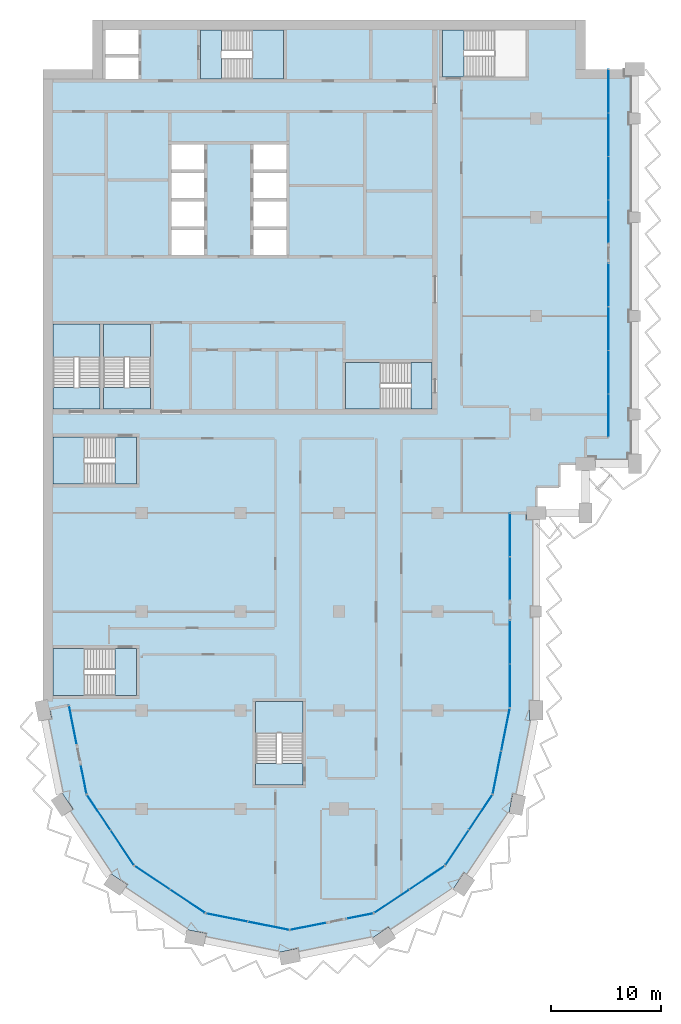
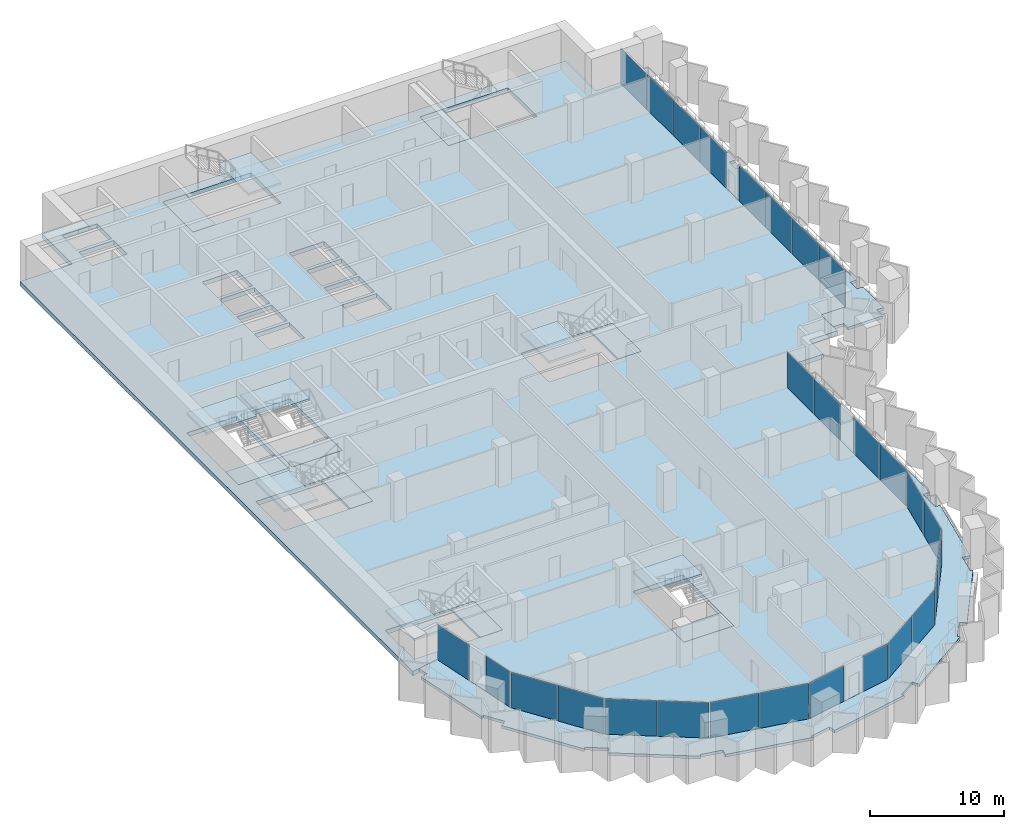
# One storey, part 6 of 17: 28 plates, 18 slabs, 21 elements without a shape of their own.
"""IFC4 building model written with IfcOpenShell, lengths in metres."""

from ifc_helpers import new_model, si_unit, direction, frame, origin, origin_2d, place, context, subcontext, project, spatial, polyline, rectangle, outline, extrude, material, layer, layer_set, type_object, element, aggregate, save


model = new_model("IFC4")

# Units and contexts
model_context = context("Model", 3, precision=1e-05, world=origin(), true_north=direction((0.0, 1.0)))
body_context = subcontext(model_context, "Body", "Model", "MODEL_VIEW")
ifc_project = project(units=[si_unit("LENGTHUNIT", "METRE"), si_unit("AREAUNIT", "SQUARE_METRE"), si_unit("VOLUMEUNIT", "CUBIC_METRE"), si_unit("PLANEANGLEUNIT", "RADIAN"), si_unit("MASSUNIT", "GRAM", prefix="KILO")], contexts=[model_context])

# Site, building, storey
site_placement = place(None, origin())
site = spatial("IfcSite", under=ifc_project, at=site_placement, CompositionType="ELEMENT")
building_placement = place(site_placement, origin())
building = spatial("IfcBuilding", under=site, at=building_placement, Name="Hunhe Ridgeline Campus", CompositionType="ELEMENT")
storey_placement = place(building_placement, frame((0.0, 0.0, 208.699951171875)))
storey = spatial("IfcBuildingStorey", under=building, at=storey_placement, Name="L53", CompositionType="ELEMENT", Elevation=208.699951171875)

# Curtain wall, plate
ifc_material_1 = material(Name="Aluminium 6063", Category="aluminium")
curtain_wall_type_1 = type_object("IfcCurtainWallType", Name="Curtain wall CW-5", PredefinedType="NOTDEFINED", material=ifc_material_1)
curtain_wall_1_placement = place(storey_placement, origin())
curtain_wall_1 = element("IfcCurtainWall", 1, at=curtain_wall_1_placement, inside=storey, type_object=curtain_wall_type_1, Name="Curtain wall 01", PredefinedType="NOTDEFINED")
ifc_material_2 = material(Name="Low-e laminated glass", Category="glass")
ifc_layer_1 = layer(ifc_material_2, 0.028076171875)
ifc_layer_set_1 = layer_set([ifc_layer_1], Name="Curtain wall glass panel 28 low-e laminated")
plate_type = type_object("IfcPlateType", Name="Curtain wall glass panel 28 low-e laminated", PredefinedType="CURTAIN_PANEL", material=ifc_layer_set_1)
plate_1_placement = place(storey_placement, frame((2.7158203125, 34.65380859375, 0.0), z_axis=(0.0, 0.0, 1.0), x_axis=(0.195095326561, -0.980784284924, 0.0)))
plate_1 = element("IfcPlate", 2, at=plate_1_placement, type_object=plate_type, Name="CW-5 panel 1", PredefinedType="CURTAIN_PANEL", context=body_context, shape_type="SweptSolid", body=[
    extrude(rectangle(XDim=3.560791015625, YDim=0.028076171875, at=origin_2d()), origin(), (0.0, 0.0, 1.0), 3.22998046875),
])
aggregate(curtain_wall_1, [plate_1])

curtain_wall_2_placement = place(storey_placement, origin())
curtain_wall_2 = element("IfcCurtainWall", 3, at=curtain_wall_2_placement, inside=storey, type_object=curtain_wall_type_1, Name="Curtain wall 02", PredefinedType="NOTDEFINED")
plate_2_placement = place(storey_placement, frame((3.701171875, 29.699951171875, 0.0), z_axis=(0.0, 0.0, 1.0), x_axis=(0.195095265587, -0.980784297053, 0.0)))
plate_2 = element("IfcPlate", 4, at=plate_2_placement, type_object=plate_type, Name="CW-5 panel 1", PredefinedType="CURTAIN_PANEL", context=body_context, shape_type="SweptSolid", body=[
    extrude(rectangle(XDim=2.660888671875, YDim=0.028076171875, at=origin_2d()), origin(), (0.0, 0.0, 1.0), 3.22998046875),
])
aggregate(curtain_wall_2, [plate_2])

# Curtain wall, plates
curtain_wall_3_placement = place(storey_placement, origin())
curtain_wall_3 = element("IfcCurtainWall", 5, at=curtain_wall_3_placement, inside=storey, type_object=curtain_wall_type_1, Name="Curtain wall 03", PredefinedType="NOTDEFINED")
plate_3_placement = place(storey_placement, frame((5.07080078125, 26.685546875, 0.0), z_axis=(0.0, 0.0, 1.0), x_axis=(0.555570274596, -0.831469584522, 0.0)))
plate_3 = element("IfcPlate", 6, at=plate_3_placement, type_object=plate_type, Name="CW-5 panel 1", PredefinedType="CURTAIN_PANEL", context=body_context, shape_type="SweptSolid", body=[
    extrude(rectangle(XDim=3.806884765625, YDim=0.028076171875, at=origin_2d()), origin(), (0.0, 0.0, 1.0), 3.22998046875),
])
plate_4_placement = place(storey_placement, frame((7.224609375, 23.4619140625, 0.0), z_axis=(0.0, 0.0, 1.0), x_axis=(0.555570274596, -0.831469584522, 0.0)))
plate_4 = element("IfcPlate", 7, at=plate_4_placement, type_object=plate_type, Name="CW-5 panel 2", PredefinedType="CURTAIN_PANEL", context=body_context, shape_type="SweptSolid", body=[
    extrude(rectangle(XDim=3.806884765625, YDim=0.028076171875, at=origin_2d()), origin(), (0.0, 0.0, 1.0), 3.22998046875),
])
aggregate(curtain_wall_3, [plate_3, plate_4])

curtain_wall_4_placement = place(storey_placement, origin())
curtain_wall_4 = element("IfcCurtainWall", 8, at=curtain_wall_4_placement, inside=storey, type_object=curtain_wall_type_1, Name="Curtain wall 04", PredefinedType="NOTDEFINED")
plate_5_placement = place(storey_placement, frame((9.9619140625, 20.724609375, 0.0), z_axis=(0.0, 0.0, 1.0), x_axis=(0.831469584522, -0.555570274596, 0.0)))
plate_5 = element("IfcPlate", 9, at=plate_5_placement, type_object=plate_type, Name="CW-5 panel 1", PredefinedType="CURTAIN_PANEL", context=body_context, shape_type="SweptSolid", body=[
    extrude(rectangle(XDim=3.806884765625, YDim=0.028076171875, at=origin_2d()), origin(), (0.0, 0.0, 1.0), 3.22998046875),
])
plate_6_placement = place(storey_placement, frame((13.185546875, 18.57080078125, 0.0), z_axis=(0.0, 0.0, 1.0), x_axis=(0.831469584522, -0.555570274596, 0.0)))
plate_6 = element("IfcPlate", 10, at=plate_6_placement, type_object=plate_type, Name="CW-5 panel 2", PredefinedType="CURTAIN_PANEL", context=body_context, shape_type="SweptSolid", body=[
    extrude(rectangle(XDim=3.806884765625, YDim=0.028076171875, at=origin_2d()), origin(), (0.0, 0.0, 1.0), 3.22998046875),
])
aggregate(curtain_wall_4, [plate_5, plate_6])

curtain_wall_5_placement = place(storey_placement, origin())
curtain_wall_5 = element("IfcCurtainWall", 11, at=curtain_wall_5_placement, inside=storey, type_object=curtain_wall_type_1, Name="Curtain wall 05", PredefinedType="NOTDEFINED")
plate_7_placement = place(storey_placement, frame((16.761962890625, 17.08935546875, 0.0), z_axis=(0.0, 0.0, 1.0), x_axis=(0.980785275326, -0.195090347539, 0.0)))
plate_7 = element("IfcPlate", 12, at=plate_7_placement, type_object=plate_type, Name="CW-5 panel 1", PredefinedType="CURTAIN_PANEL", context=body_context, shape_type="SweptSolid", body=[
    extrude(rectangle(XDim=3.806884765625, YDim=0.028076171875, at=origin_2d()), origin(), (0.0, 0.0, 1.0), 3.22998046875),
])
plate_8_placement = place(storey_placement, frame((20.564453125, 16.3330078125, 0.0), z_axis=(0.0, 0.0, 1.0), x_axis=(0.980785275326, -0.195090347539, 0.0)))
plate_8 = element("IfcPlate", 13, at=plate_8_placement, type_object=plate_type, Name="CW-5 panel 2", PredefinedType="CURTAIN_PANEL", context=body_context, shape_type="SweptSolid", body=[
    extrude(rectangle(XDim=3.806884765625, YDim=0.028076171875, at=origin_2d()), origin(), (0.0, 0.0, 1.0), 3.22998046875),
])
aggregate(curtain_wall_5, [plate_7, plate_8])

# Curtain wall, plate
curtain_wall_6_placement = place(storey_placement, origin())
curtain_wall_6 = element("IfcCurtainWall", 14, at=curtain_wall_6_placement, inside=storey, type_object=curtain_wall_type_1, Name="Curtain wall 06", PredefinedType="NOTDEFINED")
plate_9_placement = place(storey_placement, frame((24.19775390625, 16.28564453125, 0.0), z_axis=(0.0, 0.0, 1.0), x_axis=(0.980785270791, 0.19509037034, 0.0)))
plate_9 = element("IfcPlate", 15, at=plate_9_placement, type_object=plate_type, Name="CW-5 panel 1", PredefinedType="CURTAIN_PANEL", context=body_context, shape_type="SweptSolid", body=[
    extrude(rectangle(XDim=3.322021484375, YDim=0.028076171875, at=origin_2d()), origin(), (0.0, 0.0, 1.0), 3.22998046875),
])
aggregate(curtain_wall_6, [plate_9])

curtain_wall_7_placement = place(storey_placement, origin())
curtain_wall_7 = element("IfcCurtainWall", 16, at=curtain_wall_7_placement, inside=storey, type_object=curtain_wall_type_1, Name="Curtain wall 07", PredefinedType="NOTDEFINED")
plate_10_placement = place(storey_placement, frame((28.917236328125, 17.224609375, 0.0), z_axis=(0.0, 0.0, 1.0), x_axis=(0.980785242091, 0.195090514627, 0.0)))
plate_10 = element("IfcPlate", 17, at=plate_10_placement, type_object=plate_type, Name="CW-5 panel 1", PredefinedType="CURTAIN_PANEL", context=body_context, shape_type="SweptSolid", body=[
    extrude(rectangle(XDim=2.421875, YDim=0.028076171875, at=origin_2d()), origin(), (0.0, 0.0, 1.0), 3.22998046875),
])
aggregate(curtain_wall_7, [plate_10])

# Curtain wall, plates
curtain_wall_8_placement = place(storey_placement, origin())
curtain_wall_8 = element("IfcCurtainWall", 18, at=curtain_wall_8_placement, inside=storey, type_object=curtain_wall_type_1, Name="Curtain wall 08", PredefinedType="NOTDEFINED")
plate_11_placement = place(storey_placement, frame((31.814453125, 18.57080078125, 0.0), z_axis=(0.0, 0.0, 1.0), x_axis=(0.831469584522, 0.555570274596, 0.0)))
plate_11 = element("IfcPlate", 19, at=plate_11_placement, type_object=plate_type, Name="CW-5 panel 1", PredefinedType="CURTAIN_PANEL", context=body_context, shape_type="SweptSolid", body=[
    extrude(rectangle(XDim=3.806884765625, YDim=0.028076171875, at=origin_2d()), origin(), (0.0, 0.0, 1.0), 3.22998046875),
])
plate_12_placement = place(storey_placement, frame((35.0380859375, 20.724609375, 0.0), z_axis=(0.0, 0.0, 1.0), x_axis=(0.831469584522, 0.555570274596, 0.0)))
plate_12 = element("IfcPlate", 20, at=plate_12_placement, type_object=plate_type, Name="CW-5 panel 2", PredefinedType="CURTAIN_PANEL", context=body_context, shape_type="SweptSolid", body=[
    extrude(rectangle(XDim=3.806884765625, YDim=0.028076171875, at=origin_2d()), origin(), (0.0, 0.0, 1.0), 3.22998046875),
])
aggregate(curtain_wall_8, [plate_11, plate_12])

curtain_wall_9_placement = place(storey_placement, origin())
curtain_wall_9 = element("IfcCurtainWall", 21, at=curtain_wall_9_placement, inside=storey, type_object=curtain_wall_type_1, Name="Curtain wall 09", PredefinedType="NOTDEFINED")
plate_13_placement = place(storey_placement, frame((37.775390625, 23.4619140625, 0.0), z_axis=(0.0, 0.0, 1.0), x_axis=(0.555570274596, 0.831469584522, 0.0)))
plate_13 = element("IfcPlate", 22, at=plate_13_placement, type_object=plate_type, Name="CW-5 panel 1", PredefinedType="CURTAIN_PANEL", context=body_context, shape_type="SweptSolid", body=[
    extrude(rectangle(XDim=3.806884765625, YDim=0.028076171875, at=origin_2d()), origin(), (0.0, 0.0, 1.0), 3.22998046875),
])
plate_14_placement = place(storey_placement, frame((39.92919921875, 26.685546875, 0.0), z_axis=(0.0, 0.0, 1.0), x_axis=(0.555570274596, 0.831469584522, 0.0)))
plate_14 = element("IfcPlate", 23, at=plate_14_placement, type_object=plate_type, Name="CW-5 panel 2", PredefinedType="CURTAIN_PANEL", context=body_context, shape_type="SweptSolid", body=[
    extrude(rectangle(XDim=3.806884765625, YDim=0.028076171875, at=origin_2d()), origin(), (0.0, 0.0, 1.0), 3.22998046875),
])
aggregate(curtain_wall_9, [plate_13, plate_14])

curtain_wall_10_placement = place(storey_placement, origin())
curtain_wall_10 = element("IfcCurtainWall", 24, at=curtain_wall_10_placement, inside=storey, type_object=curtain_wall_type_1, Name="Curtain wall 10", PredefinedType="NOTDEFINED")
plate_15_placement = place(storey_placement, frame((41.42236328125, 30.321044921875, 0.0), z_axis=(0.0, 0.0, 1.0), x_axis=(0.195090299215, 0.980785284939, 0.0)))
plate_15 = element("IfcPlate", 25, at=plate_15_placement, type_object=plate_type, Name="CW-5 panel 1", PredefinedType="CURTAIN_PANEL", context=body_context, shape_type="SweptSolid", body=[
    extrude(rectangle(XDim=3.927490234375, YDim=0.028076171875, at=origin_2d()), origin(), (0.0, 0.0, 1.0), 3.22998046875),
])
plate_16_placement = place(storey_placement, frame((42.2021484375, 34.24169921875, 0.0), z_axis=(0.0, 0.0, 1.0), x_axis=(0.195090299215, 0.980785284939, 0.0)))
plate_16 = element("IfcPlate", 26, at=plate_16_placement, type_object=plate_type, Name="CW-5 panel 2", PredefinedType="CURTAIN_PANEL", context=body_context, shape_type="SweptSolid", body=[
    extrude(rectangle(XDim=3.927490234375, YDim=0.028076171875, at=origin_2d()), origin(), (0.0, 0.0, 1.0), 3.22998046875),
])
aggregate(curtain_wall_10, [plate_15, plate_16])

curtain_wall_type_2 = type_object("IfcCurtainWallType", Name="Curtain wall CW-1", PredefinedType="NOTDEFINED", material=ifc_material_1)
curtain_wall_11_placement = place(storey_placement, origin())
curtain_wall_11 = element("IfcCurtainWall", 27, at=curtain_wall_11_placement, inside=storey, type_object=curtain_wall_type_2, Name="Curtain wall 11", PredefinedType="NOTDEFINED")
plate_17_placement = place(storey_placement, frame((42.59912109375, 38.2470703125, 0.0), z_axis=(0.0, 0.0, 1.0), x_axis=(6.639948e-06, 0.999999999978, 0.0)))
plate_17 = element("IfcPlate", 28, at=plate_17_placement, type_object=plate_type, Name="CW-1 panel 1", PredefinedType="CURTAIN_PANEL", context=body_context, shape_type="SweptSolid", body=[
    extrude(rectangle(XDim=3.90087890625, YDim=0.028076171875, at=origin_2d()), origin(), (0.0, 0.0, 1.0), 3.239990234375),
])
plate_18_placement = place(storey_placement, frame((42.59912109375, 42.2080078125, 0.0), z_axis=(0.0, 0.0, 1.0), x_axis=(6.639948e-06, 0.999999999978, 0.0)))
plate_18 = element("IfcPlate", 29, at=plate_18_placement, type_object=plate_type, Name="CW-1 panel 2", PredefinedType="CURTAIN_PANEL", context=body_context, shape_type="SweptSolid", body=[
    extrude(rectangle(XDim=3.90087890625, YDim=0.028076171875, at=origin_2d()), origin(), (0.0, 0.0, 1.0), 3.239990234375),
])
aggregate(curtain_wall_11, [plate_17, plate_18])

curtain_wall_12_placement = place(storey_placement, origin())
curtain_wall_12 = element("IfcCurtainWall", 30, at=curtain_wall_12_placement, inside=storey, type_object=curtain_wall_type_2, Name="Curtain wall 12", PredefinedType="NOTDEFINED")
plate_19_placement = place(storey_placement, frame((42.59912109375, 48.029052734375, 0.0), z_axis=(0.0, 0.0, 1.0), x_axis=(6.639948e-06, 0.999999999978, 0.0)))
plate_19 = element("IfcPlate", 31, at=plate_19_placement, type_object=plate_type, Name="CW-1 panel 1", PredefinedType="CURTAIN_PANEL", context=body_context, shape_type="SweptSolid", body=[
    extrude(rectangle(XDim=3.90087890625, YDim=0.028076171875, at=origin_2d()), origin(), (0.0, 0.0, 1.0), 3.239990234375),
])
plate_20_placement = place(storey_placement, frame((42.59912109375, 51.989990234375, 0.0), z_axis=(0.0, 0.0, 1.0), x_axis=(6.639948e-06, 0.999999999978, 0.0)))
plate_20 = element("IfcPlate", 32, at=plate_20_placement, type_object=plate_type, Name="CW-1 panel 2", PredefinedType="CURTAIN_PANEL", context=body_context, shape_type="SweptSolid", body=[
    extrude(rectangle(XDim=3.90087890625, YDim=0.028076171875, at=origin_2d()), origin(), (0.0, 0.0, 1.0), 3.239990234375),
])
aggregate(curtain_wall_12, [plate_19, plate_20])

curtain_wall_13_placement = place(storey_placement, origin())
curtain_wall_13 = element("IfcCurtainWall", 33, at=curtain_wall_13_placement, inside=storey, type_object=curtain_wall_type_2, Name="Curtain wall 13", PredefinedType="NOTDEFINED")
plate_21_placement = place(storey_placement, frame((51.59912109375, 62.9033203125, 0.0), z_axis=(0.0, 0.0, 1.0), x_axis=(0.0, 1.0, 0.0)))
plate_21 = element("IfcPlate", 34, at=plate_21_placement, type_object=plate_type, Name="CW-1 panel 1", PredefinedType="CURTAIN_PANEL", context=body_context, shape_type="SweptSolid", body=[
    extrude(rectangle(XDim=3.884765625, YDim=0.028076171875, at=origin_2d()), origin(), (0.0, 0.0, 1.0), 3.239990234375),
])
plate_22_placement = place(storey_placement, frame((51.59912109375, 66.86328125, 0.0), z_axis=(0.0, 0.0, 1.0), x_axis=(0.0, 1.0, 0.0)))
plate_22 = element("IfcPlate", 35, at=plate_22_placement, type_object=plate_type, Name="CW-1 panel 2", PredefinedType="CURTAIN_PANEL", context=body_context, shape_type="SweptSolid", body=[
    extrude(rectangle(XDim=3.914794921875, YDim=0.028076171875, at=origin_2d()), origin(), (0.0, 0.0, 1.0), 3.239990234375),
])
plate_23_placement = place(storey_placement, frame((51.59912109375, 70.838134765625, 0.0), z_axis=(0.0, 0.0, 1.0), x_axis=(0.0, 1.0, 0.0)))
plate_23 = element("IfcPlate", 36, at=plate_23_placement, type_object=plate_type, Name="CW-1 panel 3", PredefinedType="CURTAIN_PANEL", context=body_context, shape_type="SweptSolid", body=[
    extrude(rectangle(XDim=3.914794921875, YDim=0.028076171875, at=origin_2d()), origin(), (0.0, 0.0, 1.0), 3.239990234375),
])
plate_24_placement = place(storey_placement, frame((51.59912109375, 74.798095703125, 0.0), z_axis=(0.0, 0.0, 1.0), x_axis=(0.0, 1.0, 0.0)))
plate_24 = element("IfcPlate", 37, at=plate_24_placement, type_object=plate_type, Name="CW-1 panel 4", PredefinedType="CURTAIN_PANEL", context=body_context, shape_type="SweptSolid", body=[
    extrude(rectangle(XDim=3.884765625, YDim=0.028076171875, at=origin_2d()), origin(), (0.0, 0.0, 1.0), 3.239990234375),
])
aggregate(curtain_wall_13, [plate_21, plate_22, plate_23, plate_24])

curtain_wall_14_placement = place(storey_placement, origin())
curtain_wall_14 = element("IfcCurtainWall", 38, at=curtain_wall_14_placement, inside=storey, type_object=curtain_wall_type_2, Name="Curtain wall 14", PredefinedType="NOTDEFINED")
plate_25_placement = place(storey_placement, frame((51.59912109375, 80.60302734375, 0.0), z_axis=(0.0, 0.0, 1.0), x_axis=(0.0, 1.0, 0.0)))
plate_25 = element("IfcPlate", 39, at=plate_25_placement, type_object=plate_type, Name="CW-1 panel 1", PredefinedType="CURTAIN_PANEL", context=body_context, shape_type="SweptSolid", body=[
    extrude(rectangle(XDim=3.884765625, YDim=0.028076171875, at=origin_2d()), origin(), (0.0, 0.0, 1.0), 3.239990234375),
])
plate_26_placement = place(storey_placement, frame((51.59912109375, 84.562744140625, 0.0), z_axis=(0.0, 0.0, 1.0), x_axis=(0.0, 1.0, 0.0)))
plate_26 = element("IfcPlate", 40, at=plate_26_placement, type_object=plate_type, Name="CW-1 panel 2", PredefinedType="CURTAIN_PANEL", context=body_context, shape_type="SweptSolid", body=[
    extrude(rectangle(XDim=3.914794921875, YDim=0.028076171875, at=origin_2d()), origin(), (0.0, 0.0, 1.0), 3.239990234375),
])
plate_27_placement = place(storey_placement, frame((51.59912109375, 88.53759765625, 0.0), z_axis=(0.0, 0.0, 1.0), x_axis=(0.0, 1.0, 0.0)))
plate_27 = element("IfcPlate", 41, at=plate_27_placement, type_object=plate_type, Name="CW-1 panel 3", PredefinedType="CURTAIN_PANEL", context=body_context, shape_type="SweptSolid", body=[
    extrude(rectangle(XDim=3.914794921875, YDim=0.028076171875, at=origin_2d()), origin(), (0.0, 0.0, 1.0), 3.239990234375),
])
plate_28_placement = place(storey_placement, frame((51.59912109375, 92.49755859375, 0.0), z_axis=(0.0, 0.0, 1.0), x_axis=(0.0, 1.0, 0.0)))
plate_28 = element("IfcPlate", 42, at=plate_28_placement, type_object=plate_type, Name="CW-1 panel 4", PredefinedType="CURTAIN_PANEL", context=body_context, shape_type="SweptSolid", body=[
    extrude(rectangle(XDim=3.884765625, YDim=0.028076171875, at=origin_2d()), origin(), (0.0, 0.0, 1.0), 3.239990234375),
])
aggregate(curtain_wall_14, [plate_25, plate_26, plate_27, plate_28])

# Slabs
ifc_material_3 = material(Name="Concrete C40", Category="concrete")
ifc_layer_2 = layer(ifc_material_3, 0.39990234375)
ifc_layer_set_2 = layer_set([ifc_layer_2], Name="Floor slab 400 Concrete C40")
slab_type_1 = type_object("IfcSlabType", Name="Floor slab 400 Concrete C40", PredefinedType="FLOOR", material=ifc_layer_set_2)
slab_1_placement = place(storey_placement, frame((0.0, 0.0, -0.39990234375)))
element("IfcSlab", 43, at=slab_1_placement, inside=storey, type_object=slab_type_1, Name="Floor slab L53 1", PredefinedType="FLOOR", context=body_context, shape_type="SweptSolid", body=[
    extrude(outline(polyline([(30.173583984375, 17.474365234375), (36.678955078125, 21.821044921875), (41.025634765625, 28.326416015625), (42.59912109375, 36.236572265625), (42.59912109375, 54.00048828125), (44.9990234375, 54.0009765625), (44.999267578125, 56.400634765625), (47.09912109375, 56.40087890625), (47.099609375, 58.5009765625), (49.4990234375, 58.5009765625), (49.49951171875, 60.90087890625), (51.59912109375, 60.90087890625), (51.59912109375, 94.5), (49.5, 94.5), (49.5, 99.0), (4.5, 99.0), (4.5, 94.5), (0.0, 94.5), (0.0, 36.0009765625), (2.354736328125, 36.46875), (3.974365234375, 28.326416015625), (8.321044921875, 21.821044921875), (14.826416015625, 17.474365234375), (22.5, 15.947998046875), (30.173583984375, 17.474365234375)]), holes=[polyline([(36.449951171875, 93.800048828125), (44.050048828125, 93.800048828125), (44.050048828125, 98.10009765625), (36.449951171875, 98.10009765625), (36.449951171875, 93.800048828125)]), polyline([(35.5, 63.5), (35.5, 67.75), (27.60009765625, 67.75), (27.60009765625, 63.5), (35.5, 63.5)]), polyline([(19.39990234375, 29.199951171875), (23.699951171875, 29.199951171875), (23.699951171875, 36.800048828125), (19.39990234375, 36.800048828125), (19.39990234375, 29.199951171875)]), polyline([(22.199951171875, 80.14990234375), (22.199951171875, 82.449951171875), (19.199951171875, 82.449951171875), (19.199951171875, 80.14990234375), (22.199951171875, 80.14990234375)]), polyline([(22.199951171875, 79.85009765625), (19.199951171875, 79.85009765625), (19.199951171875, 77.550048828125), (22.199951171875, 77.550048828125), (22.199951171875, 79.85009765625)]), polyline([(19.199951171875, 87.64990234375), (19.199951171875, 85.35009765625), (22.199951171875, 85.35009765625), (22.199951171875, 87.64990234375), (19.199951171875, 87.64990234375)]), polyline([(19.199951171875, 82.75), (22.199951171875, 82.75), (22.199951171875, 85.050048828125), (19.199951171875, 85.050048828125), (19.199951171875, 82.75)]), polyline([(14.35009765625, 93.60009765625), (21.949951171875, 93.60009765625), (21.949951171875, 98.10009765625), (14.35009765625, 98.10009765625), (14.35009765625, 93.60009765625)]), polyline([(14.699951171875, 79.85009765625), (11.699951171875, 79.85009765625), (11.699951171875, 77.550048828125), (14.699951171875, 77.550048828125), (14.699951171875, 79.85009765625)]), polyline([(14.699951171875, 80.14990234375), (14.699951171875, 82.449951171875), (11.699951171875, 82.449951171875), (11.699951171875, 80.14990234375), (14.699951171875, 80.14990234375)]), polyline([(11.699951171875, 87.64990234375), (11.699951171875, 85.35009765625), (14.699951171875, 85.35009765625), (14.699951171875, 87.64990234375), (11.699951171875, 87.64990234375)]), polyline([(11.699951171875, 82.75), (14.699951171875, 82.75), (14.699951171875, 85.050048828125), (11.699951171875, 85.050048828125), (11.699951171875, 82.75)]), polyline([(9.800048828125, 71.25), (5.5, 71.25), (5.5, 63.5), (9.800048828125, 63.5), (9.800048828125, 71.25)]), polyline([(8.699951171875, 95.89990234375), (8.699951171875, 98.10009765625), (5.699951171875, 98.10009765625), (5.699951171875, 95.89990234375), (8.699951171875, 95.89990234375)]), polyline([(8.699951171875, 95.60009765625), (5.699951171875, 95.60009765625), (5.699951171875, 93.60009765625), (8.699951171875, 93.60009765625), (8.699951171875, 95.60009765625)]), polyline([(0.89990234375, 37.35009765625), (8.5, 37.35009765625), (8.5, 41.64990234375), (0.89990234375, 41.64990234375), (0.89990234375, 37.35009765625)]), polyline([(0.89990234375, 60.949951171875), (0.89990234375, 56.64990234375), (8.5, 56.64990234375), (8.5, 60.949951171875), (0.89990234375, 60.949951171875)]), polyline([(0.89990234375, 71.25), (0.89990234375, 63.5), (5.199951171875, 63.5), (5.199951171875, 71.25), (0.89990234375, 71.25)])]), origin(), (0.0, 0.0, 1.0), 0.39990234375),
])
ifc_layer_3 = layer(ifc_material_3, 0.25)
ifc_layer_set_3 = layer_set([ifc_layer_3], Name="Loggia slab 250 Concrete C40")
slab_type_2 = type_object("IfcSlabType", Name="Loggia slab 250 Concrete C40", PredefinedType="FLOOR", material=ifc_layer_set_3)
slab_2_placement = place(storey_placement, frame((0.0, 0.0, -0.25)))
element("IfcSlab", 44, at=slab_2_placement, inside=storey, type_object=slab_type_2, Name="Loggia slab 1", PredefinedType="FLOOR", context=body_context, shape_type="SweptSolid", body=[
    extrude(outline(polyline([(30.173828125, 17.473388671875), (22.5, 15.947021484375), (14.826171875, 17.473388671875), (8.3203125, 21.8203125), (3.973388671875, 28.326171875), (2.35400390625, 36.46826171875), (0.58837890625, 36.116943359375), (0.76416015625, 35.234375), (0.175537109375, 35.1171875), (1.522705078125, 28.344970703125), (1.711669921875, 28.47119140625), (2.711669921875, 26.974609375), (2.212646484375, 26.641357421875), (6.048828125, 20.900146484375), (6.175048828125, 21.089111328125), (7.671875, 20.0888671875), (7.33837890625, 19.590087890625), (13.07958984375, 15.75390625), (13.1240234375, 15.976806640625), (14.889404296875, 15.62548828125), (14.772216796875, 15.037109375), (21.544677734375, 13.68994140625), (21.500244140625, 13.912841796875), (23.265625, 14.26416015625), (23.3828125, 13.675537109375), (30.155029296875, 15.022705078125), (30.02880859375, 15.211669921875), (31.525390625, 16.211669921875), (31.858642578125, 15.712646484375), (37.599853515625, 19.548828125), (37.410888671875, 19.675048828125), (38.4111328125, 21.171875), (38.909912109375, 20.83837890625), (42.74609375, 26.57958984375), (42.523193359375, 26.6240234375), (42.87451171875, 28.389404296875), (43.462890625, 28.272216796875), (44.821044921875, 35.10009765625), (44.39990234375, 35.10009765625), (44.39990234375, 36.89990234375), (45.0, 36.89990234375), (45.0, 44.5), (44.5, 44.5), (44.5, 45.5), (45.0, 45.5), (45.0, 53.39990234375), (44.10009765625, 53.39990234375), (44.10009765625, 54.0), (42.60009765625, 54.0), (42.60009765625, 36.236328125), (41.026611328125, 28.326171875), (36.6796875, 21.8203125), (30.173828125, 17.473388671875)])), origin(), (0.0, 0.0, 1.0), 0.25),
])
slab_3_placement = place(storey_placement, frame((0.0, 0.0, -0.25)))
element("IfcSlab", 45, at=slab_3_placement, inside=storey, type_object=slab_type_2, Name="Loggia slab 2", PredefinedType="FLOOR", context=body_context, shape_type="SweptSolid", body=[
    extrude(outline(polyline([(49.5, 59.10009765625), (50.39990234375, 59.10009765625), (50.39990234375, 58.5), (53.39990234375, 58.5), (53.39990234375, 59.39990234375), (54.0, 59.39990234375), (54.0, 62.5), (53.5, 62.5), (53.5, 63.5), (54.0, 63.5), (54.0, 71.5), (53.5, 71.5), (53.5, 72.5), (54.0, 72.5), (54.0, 80.5), (53.5, 80.5), (53.5, 81.5), (54.0, 81.5), (54.0, 89.5), (53.5, 89.5), (53.5, 90.5), (54.0, 90.5), (54.0, 93.89990234375), (53.10009765625, 93.89990234375), (53.10009765625, 94.5), (51.60009765625, 94.5), (51.60009765625, 60.89990234375), (49.5, 60.89990234375), (49.5, 59.10009765625)])), origin(), (0.0, 0.0, 1.0), 0.25),
])

# Stair, slab
stair_type = type_object("IfcStairType", Name="Reinforced concrete dog-leg stair 1950 Concrete C40", PredefinedType="HALF_TURN_STAIR", material=ifc_material_3)
stair_1_placement = place(storey_placement, origin())
stair_1 = element("IfcStair", 46, at=stair_1_placement, inside=storey, type_object=stair_type, Name="L53 S1", PredefinedType="HALF_TURN_STAIR")
ifc_layer_4 = layer(ifc_material_3, 0.199951171875)
ifc_layer_set_4 = layer_set([ifc_layer_4], Name="Reinforced concrete stair landing 200 Concrete C40")
slab_type_3 = type_object("IfcSlabType", Name="Reinforced concrete stair landing 200 Concrete C40", PredefinedType="LANDING", material=ifc_layer_set_4)
slab_4_placement = place(storey_placement, frame((0.0, 0.0, 1.650146484375)))
slab_4 = element("IfcSlab", 47, at=slab_4_placement, type_object=slab_type_3, Name="ST1 landing 1", PredefinedType="LANDING", context=body_context, shape_type="SweptSolid", body=[
    extrude(outline(polyline([(19.10009765625, 93.60009765625), (21.949951171875, 93.60009765625), (21.949951171875, 98.10009765625), (19.10009765625, 98.10009765625), (19.10009765625, 93.60009765625)])), origin(), (0.0, 0.0, 1.0), 0.199951171875),
])
aggregate(stair_1, [slab_4])

# Slab
slab_5_placement = place(storey_placement, frame((0.0, 0.0, -0.199951171875)))
element("IfcSlab", 48, at=slab_5_placement, inside=storey, type_object=slab_type_3, Name="L53 stair S1 floor landing", PredefinedType="LANDING", context=body_context, shape_type="SweptSolid", body=[
    extrude(outline(polyline([(14.35009765625, 93.60009765625), (16.300048828125, 93.60009765625), (16.300048828125, 98.10009765625), (14.35009765625, 98.10009765625), (14.35009765625, 93.60009765625)])), origin(), (0.0, 0.0, 1.0), 0.199951171875),
])

# Stair, slab
stair_2_placement = place(storey_placement, origin())
stair_2 = element("IfcStair", 49, at=stair_2_placement, inside=storey, type_object=stair_type, Name="L53 S2", PredefinedType="HALF_TURN_STAIR")
slab_6_placement = place(storey_placement, frame((0.0, 0.0, 1.650146484375)))
slab_6 = element("IfcSlab", 50, at=slab_6_placement, type_object=slab_type_3, Name="ST2 landing 1", PredefinedType="LANDING", context=body_context, shape_type="SweptSolid", body=[
    extrude(outline(polyline([(30.75, 67.75), (27.60009765625, 67.75), (27.60009765625, 63.5), (30.75, 63.5), (30.75, 67.75)])), origin(), (0.0, 0.0, 1.0), 0.199951171875),
])
aggregate(stair_2, [slab_6])

# Slab
slab_7_placement = place(storey_placement, frame((0.0, 0.0, -0.199951171875)))
element("IfcSlab", 51, at=slab_7_placement, inside=storey, type_object=slab_type_3, Name="L53 stair S2 floor landing", PredefinedType="LANDING", context=body_context, shape_type="SweptSolid", body=[
    extrude(outline(polyline([(35.5, 67.75), (33.550048828125, 67.75), (33.550048828125, 63.5), (35.5, 63.5), (35.5, 67.75)])), origin(), (0.0, 0.0, 1.0), 0.199951171875),
])

# Stair, slab
stair_3_placement = place(storey_placement, origin())
stair_3 = element("IfcStair", 52, at=stair_3_placement, inside=storey, type_object=stair_type, Name="L53 S3", PredefinedType="HALF_TURN_STAIR")
slab_8_placement = place(storey_placement, frame((0.0, 0.0, 1.650146484375)))
slab_8 = element("IfcSlab", 53, at=slab_8_placement, type_object=slab_type_3, Name="ST3 landing 1", PredefinedType="LANDING", context=body_context, shape_type="SweptSolid", body=[
    extrude(outline(polyline([(5.199951171875, 68.25), (5.199951171875, 71.25), (0.89990234375, 71.25), (0.89990234375, 68.25), (5.199951171875, 68.25)])), origin(), (0.0, 0.0, 1.0), 0.199951171875),
])
aggregate(stair_3, [slab_8])

# Slab
slab_9_placement = place(storey_placement, frame((0.0, 0.0, -0.199951171875)))
element("IfcSlab", 54, at=slab_9_placement, inside=storey, type_object=slab_type_3, Name="L53 stair S3 floor landing", PredefinedType="LANDING", context=body_context, shape_type="SweptSolid", body=[
    extrude(outline(polyline([(5.199951171875, 63.5), (5.199951171875, 65.449951171875), (0.89990234375, 65.449951171875), (0.89990234375, 63.5), (5.199951171875, 63.5)])), origin(), (0.0, 0.0, 1.0), 0.199951171875),
])

# Stair, slab
stair_4_placement = place(storey_placement, origin())
stair_4 = element("IfcStair", 55, at=stair_4_placement, inside=storey, type_object=stair_type, Name="L53 S4", PredefinedType="HALF_TURN_STAIR")
slab_10_placement = place(storey_placement, frame((0.0, 0.0, 1.650146484375)))
slab_10 = element("IfcSlab", 56, at=slab_10_placement, type_object=slab_type_3, Name="ST4 landing 1", PredefinedType="LANDING", context=body_context, shape_type="SweptSolid", body=[
    extrude(outline(polyline([(9.800048828125, 68.25), (9.800048828125, 71.25), (5.5, 71.25), (5.5, 68.25), (9.800048828125, 68.25)])), origin(), (0.0, 0.0, 1.0), 0.199951171875),
])
aggregate(stair_4, [slab_10])

# Slabs
slab_11_placement = place(storey_placement, frame((0.0, 0.0, -0.199951171875)))
element("IfcSlab", 57, at=slab_11_placement, inside=storey, type_object=slab_type_3, Name="L53 stair S4 floor landing", PredefinedType="LANDING", context=body_context, shape_type="SweptSolid", body=[
    extrude(outline(polyline([(9.800048828125, 63.5), (9.800048828125, 65.449951171875), (5.5, 65.449951171875), (5.5, 63.5), (9.800048828125, 63.5)])), origin(), (0.0, 0.0, 1.0), 0.199951171875),
])
slab_12_placement = place(storey_placement, frame((0.0, 0.0, -0.199951171875)))
element("IfcSlab", 58, at=slab_12_placement, inside=storey, type_object=slab_type_3, Name="L53 stair E1 floor landing", PredefinedType="LANDING", context=body_context, shape_type="SweptSolid", body=[
    extrude(outline(polyline([(36.449951171875, 93.800048828125), (38.39990234375, 93.800048828125), (38.39990234375, 98.10009765625), (36.449951171875, 98.10009765625), (36.449951171875, 93.800048828125)])), origin(), (0.0, 0.0, 1.0), 0.199951171875),
])

# Stair, slab
stair_5_placement = place(storey_placement, origin())
stair_5 = element("IfcStair", 59, at=stair_5_placement, inside=storey, type_object=stair_type, Name="L53 W3", PredefinedType="HALF_TURN_STAIR")
slab_13_placement = place(storey_placement, frame((0.0, 0.0, 1.650146484375)))
slab_13 = element("IfcSlab", 60, at=slab_13_placement, type_object=slab_type_3, Name="ST9 landing 1", PredefinedType="LANDING", context=body_context, shape_type="SweptSolid", body=[
    extrude(outline(polyline([(23.699951171875, 33.949951171875), (23.699951171875, 36.800048828125), (19.39990234375, 36.800048828125), (19.39990234375, 33.949951171875), (23.699951171875, 33.949951171875)])), origin(), (0.0, 0.0, 1.0), 0.199951171875),
])
aggregate(stair_5, [slab_13])

# Slab
slab_14_placement = place(storey_placement, frame((0.0, 0.0, -0.199951171875)))
element("IfcSlab", 61, at=slab_14_placement, inside=storey, type_object=slab_type_3, Name="L53 stair W3 floor landing", PredefinedType="LANDING", context=body_context, shape_type="SweptSolid", body=[
    extrude(outline(polyline([(23.699951171875, 29.199951171875), (23.699951171875, 31.14990234375), (19.39990234375, 31.14990234375), (19.39990234375, 29.199951171875), (23.699951171875, 29.199951171875)])), origin(), (0.0, 0.0, 1.0), 0.199951171875),
])

# Stair, slab
stair_6_placement = place(storey_placement, origin())
stair_6 = element("IfcStair", 62, at=stair_6_placement, inside=storey, type_object=stair_type, Name="L53 W1", PredefinedType="HALF_TURN_STAIR")
slab_15_placement = place(storey_placement, frame((0.0, 0.0, 1.650146484375)))
slab_15 = element("IfcSlab", 63, at=slab_15_placement, type_object=slab_type_3, Name="ST11 landing 1", PredefinedType="LANDING", context=body_context, shape_type="SweptSolid", body=[
    extrude(outline(polyline([(3.75, 41.64990234375), (0.89990234375, 41.64990234375), (0.89990234375, 37.35009765625), (3.75, 37.35009765625), (3.75, 41.64990234375)])), origin(), (0.0, 0.0, 1.0), 0.199951171875),
])
aggregate(stair_6, [slab_15])

# Slab
slab_16_placement = place(storey_placement, frame((0.0, 0.0, -0.199951171875)))
element("IfcSlab", 64, at=slab_16_placement, inside=storey, type_object=slab_type_3, Name="L53 stair W1 floor landing", PredefinedType="LANDING", context=body_context, shape_type="SweptSolid", body=[
    extrude(outline(polyline([(8.5, 41.64990234375), (6.550048828125, 41.64990234375), (6.550048828125, 37.35009765625), (8.5, 37.35009765625), (8.5, 41.64990234375)])), origin(), (0.0, 0.0, 1.0), 0.199951171875),
])

# Stair, slab
stair_7_placement = place(storey_placement, origin())
stair_7 = element("IfcStair", 65, at=stair_7_placement, inside=storey, type_object=stair_type, Name="L53 W2", PredefinedType="HALF_TURN_STAIR")
slab_17_placement = place(storey_placement, frame((0.0, 0.0, 1.650146484375)))
slab_17 = element("IfcSlab", 66, at=slab_17_placement, type_object=slab_type_3, Name="ST12 landing 1", PredefinedType="LANDING", context=body_context, shape_type="SweptSolid", body=[
    extrude(outline(polyline([(3.75, 60.949951171875), (0.89990234375, 60.949951171875), (0.89990234375, 56.64990234375), (3.75, 56.64990234375), (3.75, 60.949951171875)])), origin(), (0.0, 0.0, 1.0), 0.199951171875),
])
aggregate(stair_7, [slab_17])

# Slab
slab_18_placement = place(storey_placement, frame((0.0, 0.0, -0.199951171875)))
element("IfcSlab", 67, at=slab_18_placement, inside=storey, type_object=slab_type_3, Name="L53 stair W2 floor landing", PredefinedType="LANDING", context=body_context, shape_type="SweptSolid", body=[
    extrude(outline(polyline([(8.5, 60.949951171875), (6.550048828125, 60.949951171875), (6.550048828125, 56.64990234375), (8.5, 56.64990234375), (8.5, 60.949951171875)])), origin(), (0.0, 0.0, 1.0), 0.199951171875),
])

save(model, "model.ifc")
